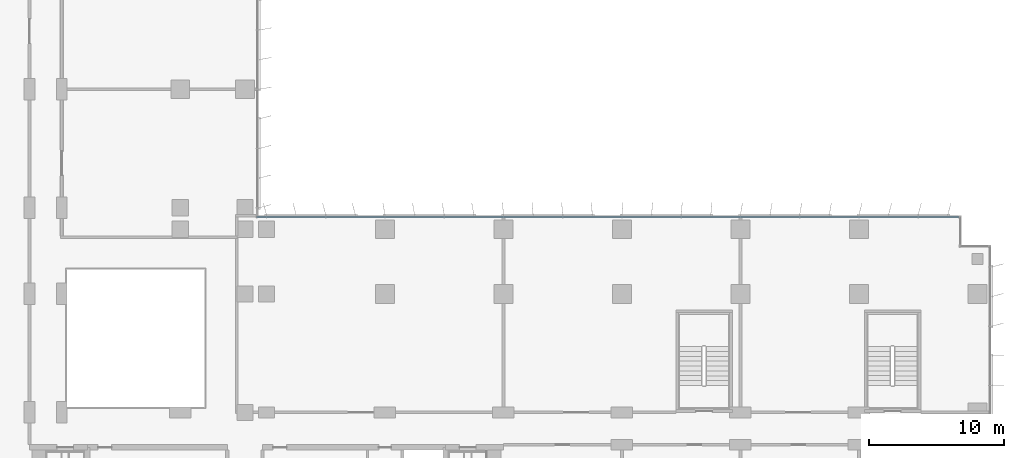
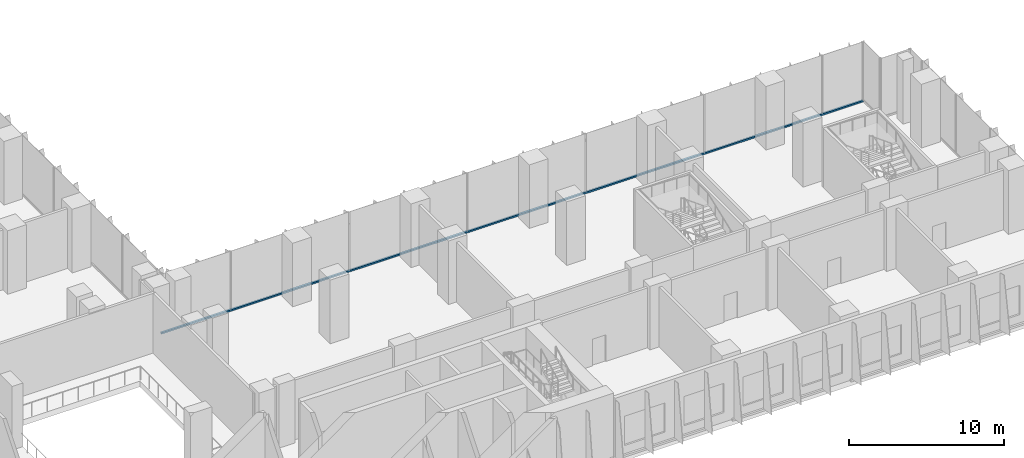
# One storey, part 3 of 23: 1 member, 1 element without a shape of its own.
"""IFC4 building model written with IfcOpenShell, lengths in metres."""

import ifcopenshell
import ifcopenshell.guid

model = None  # the IFC model being written
_history = None  # IfcOwnerHistory: only IFC2X3 demands one
_inside = {}  # id of a spatial element -> (the spatial element, [elements in it])
_under = {}  # id of a project, library or spatial element -> (it, [spatial elements below it])
_declared = {}  # id of a project -> (the project, [libraries it declares])
_typed = {}  # id of a type object -> (the type object, [elements of that type])
_made_of = {}  # id of a material, layer set ... -> (it, [elements and type objects made of it])


def new_model(schema):
    """Start an empty IFC model of exactly this schema.

    Asked for "IFC4X3", IfcOpenShell would pick the latest addendum, in which some entities
    have other attributes; the version numbers below select the first issue.
    IFC2X3 requires an IfcOwnerHistory on every rooted entity: one is made here for all.
    """
    global model, _history
    if schema == "IFC4X3":
        model = ifcopenshell.file(schema_version=(4, 3, 0, 0))
    else:
        model = ifcopenshell.file(schema=schema)
    _inside.clear()
    _under.clear()
    _declared.clear()
    _typed.clear()
    _made_of.clear()
    _history = None
    if model.schema == "IFC2X3":
        org = make("IfcOrganization", Name="unknown")
        user = make(
            "IfcPersonAndOrganization",
            ThePerson=make("IfcPerson", FamilyName="unknown"),
            TheOrganization=org,
        )
        app = make(
            "IfcApplication",
            ApplicationDeveloper=org,
            Version="unknown",
            ApplicationFullName="unknown",
            ApplicationIdentifier="unknown",
        )
        _history = make(
            "IfcOwnerHistory",
            OwningUser=user,
            OwningApplication=app,
            ChangeAction="ADDED",
            CreationDate=0,
        )
    return model


def make(cls, **values):
    """One entity of the class cls with the attributes given. An attribute that is None is left unset."""
    return model.create_entity(
        cls, **{name: value for name, value in values.items() if value is not None}
    )


def rooted(cls, **values):
    """An entity with a GlobalId (a new one), such as an element, a storey or a relation."""
    return make(cls, GlobalId=ifcopenshell.guid.new(), OwnerHistory=_history, **values)


def si_unit(unit_type, name, prefix=None):
    """IfcSIUnit, for example si_unit("LENGTHUNIT", "METRE", prefix="MILLI")."""
    return make("IfcSIUnit", UnitType=unit_type, Prefix=prefix, Name=name)


def assignment(units):
    """IfcUnitAssignment: the units of a project."""
    return None if units is None else make("IfcUnitAssignment", Units=units)


def point(xyz):
    """IfcCartesianPoint."""
    return None if xyz is None else make("IfcCartesianPoint", Coordinates=xyz)


def direction(xyz):
    """IfcDirection."""
    return None if xyz is None else make("IfcDirection", DirectionRatios=xyz)


def frame(location, z_axis=None, x_axis=None):
    """IfcAxis2Placement3D, a coordinate frame: its origin and axes. An axis left out is left unset."""
    return make(
        "IfcAxis2Placement3D",
        Location=point(location),
        Axis=direction(z_axis),
        RefDirection=direction(x_axis),
    )


def frame_2d(location, x_axis=None):
    """IfcAxis2Placement2D, a coordinate frame in the plane: its origin and x axis."""
    return make(
        "IfcAxis2Placement2D", Location=point(location), RefDirection=direction(x_axis)
    )


def origin():
    """The frame at (0, 0, 0) with its axes left unset."""
    return frame((0.0, 0.0, 0.0))


def origin_2d():
    """The frame at (0, 0) in the plane with its x axis left unset."""
    return frame_2d((0.0, 0.0))


def place(relative_to, where):
    """IfcLocalPlacement: puts the frame where relative to a parent placement (None: the world)."""
    return make(
        "IfcLocalPlacement", PlacementRelTo=relative_to, RelativePlacement=where
    )


def context(
    kind, dimensions, precision=None, world=None, true_north=None, identifier=None
):
    """IfcGeometricRepresentationContext, for example the 3D "Model" context."""
    return make(
        "IfcGeometricRepresentationContext",
        ContextIdentifier=identifier,
        ContextType=kind,
        CoordinateSpaceDimension=dimensions,
        Precision=precision,
        WorldCoordinateSystem=world,
        TrueNorth=true_north,
    )


def subcontext(parent, identifier, kind, view, scale=None):
    """IfcGeometricRepresentationSubContext, for example "Body" below "Model"."""
    return make(
        "IfcGeometricRepresentationSubContext",
        ContextIdentifier=identifier,
        ContextType=kind,
        ParentContext=parent,
        TargetScale=scale,
        TargetView=view,
    )


def project(units=None, contexts=None):
    """IfcProject with its units and contexts."""
    return rooted(
        "IfcProject",
        Name="project",
        RepresentationContexts=contexts,
        UnitsInContext=assignment(units),
    )


def spatial(cls, under=None, at=None, **own):
    """A site, building, storey or space (cls), placed at a placement, below another one or the project."""
    s = rooted(cls, ObjectPlacement=at, **own)
    if under is not None:
        _under.setdefault(under.id(), (under, []))[1].append(s)
    return s


def profile(cls, at=None, kind="AREA", **sizes):
    """A parametric profile (cls). Its sizes go by their IFC names, for example OverallWidth=200.0."""
    return make(cls, ProfileType=kind, Position=at, **sizes)


def rectangle(**sizes):
    """IfcRectangleProfileDef."""
    return profile("IfcRectangleProfileDef", **sizes)


def extrude(swept, where, along, depth):
    """IfcExtrudedAreaSolid: the profile swept, set in the frame where, extruded along a direction by depth."""
    return make(
        "IfcExtrudedAreaSolid",
        SweptArea=swept,
        Position=where,
        ExtrudedDirection=direction(along),
        Depth=depth,
    )


def shape(context_of_items, identifier, shape_type, items):
    """IfcShapeRepresentation: the items that make up one representation, for example the "Body"."""
    return make(
        "IfcShapeRepresentation",
        ContextOfItems=context_of_items,
        RepresentationIdentifier=identifier,
        RepresentationType=shape_type,
        Items=items,
    )


def material(Name=None, Category=None):
    """IfcMaterial."""
    return make("IfcMaterial", Name=Name, Category=Category)


def material_profile(
    of_material, cross_section, Name=None, Category=None, Priority=None
):
    """IfcMaterialProfile: a cross section and its material."""
    return make(
        "IfcMaterialProfile",
        Name=Name,
        Material=of_material,
        Profile=cross_section,
        Priority=Priority,
        Category=Category,
    )


def profile_set(profiles, Name=None, composite=None):
    """IfcMaterialProfileSet."""
    return make(
        "IfcMaterialProfileSet",
        Name=Name,
        MaterialProfiles=profiles,
        CompositeProfile=composite,
    )


def made_of(thing, what):
    """Note that an element or type object is made of a material, layer set ...; save() writes the relation."""
    if what is not None:
        _made_of.setdefault(what.id(), (what, []))[1].append(thing)
    return thing


def type_object(cls, material=None, **own):
    """A type object (cls), such as IfcWallType, which elements share."""
    return made_of(rooted(cls, **own), material)


def element(
    cls,
    number,
    at=None,
    inside=None,
    cuts=None,
    type_object=None,
    material=None,
    context=None,
    identifier="Body",
    shape_type=None,
    held_by="IfcProductDefinitionShape",
    body=None,
    shapes=None,
    **own,
):
    """One element of the class cls, such as IfcWall. Its Tag is "e" and its number.

    at: its placement. inside: the storey or other place that contains it. cuts: it is an
    opening in that element (IfcRelVoidsElement). A single representation is given by context,
    identifier, shape_type and body (its items); several are given by shapes. held_by: the class
    of the entity that holds the representations. save() writes the other relations.
    """
    e = rooted(cls, Tag="e%d" % number, ObjectPlacement=at, **own)
    if body is not None:
        shapes = [shape(context, identifier, shape_type, body)]
    if shapes is not None:
        e.Representation = make(held_by, Representations=shapes)
    if inside is not None:
        _inside.setdefault(inside.id(), (inside, []))[1].append(e)
    if cuts is not None:
        rooted(
            "IfcRelVoidsElement", RelatingBuildingElement=cuts, RelatedOpeningElement=e
        )
    if type_object is not None:
        _typed.setdefault(type_object.id(), (type_object, []))[1].append(e)
    return made_of(e, material)


def aggregate(whole, parts):
    """IfcRelAggregates: a whole, such as a stair, and the parts it consists of."""
    return rooted("IfcRelAggregates", RelatingObject=whole, RelatedObjects=parts)


def save(model, path):
    """Write the relations noted so far, then the file.

    IfcRelAggregates (storeys below a building ...), IfcRelContainedInSpatialStructure (elements
    in a storey), IfcRelDefinesByType, IfcRelAssociatesMaterial and IfcRelDeclares: one each for
    every whole, place, type object, material and project.
    """
    for whole, parts in _under.values():
        aggregate(whole, parts)
    for where, things in _inside.values():
        rooted(
            "IfcRelContainedInSpatialStructure",
            RelatedElements=things,
            RelatingStructure=where,
        )
    for kind, things in _typed.values():
        rooted("IfcRelDefinesByType", RelatedObjects=things, RelatingType=kind)
    for what, things in _made_of.values():
        rooted("IfcRelAssociatesMaterial", RelatedObjects=things, RelatingMaterial=what)
    for by, libraries in _declared.values():
        rooted("IfcRelDeclares", RelatingContext=by, RelatedDefinitions=libraries)
    model.write(path)


model = new_model("IFC4")

# Units and contexts
model_context = context("Model", 3, precision=1e-05, world=origin(), true_north=direction((0.0, 1.0)))
body_context = subcontext(model_context, "Body", "Model", "MODEL_VIEW")
ifc_project = project(units=[si_unit("LENGTHUNIT", "METRE"), si_unit("AREAUNIT", "SQUARE_METRE"), si_unit("VOLUMEUNIT", "CUBIC_METRE"), si_unit("PLANEANGLEUNIT", "RADIAN"), si_unit("MASSUNIT", "GRAM", prefix="KILO")], contexts=[model_context])

# Site, building, storey
site_placement = place(None, origin())
site = spatial("IfcSite", under=ifc_project, at=site_placement, CompositionType="ELEMENT")
building_placement = place(site_placement, origin())
building = spatial("IfcBuilding", under=site, at=building_placement, Name="Kemantara Hotel Tower", CompositionType="ELEMENT")
storey_placement = place(building_placement, frame((0.0, 0.0, 71.0)))
storey = spatial("IfcBuildingStorey", under=building, at=storey_placement, Name="L16", CompositionType="ELEMENT", Elevation=71.0)

# Curtain wall, member
ifc_material_1 = material(Name="Low-E tinted double insulated glass 36 mm", Category="glass")
curtain_wall_type = type_object("IfcCurtainWallType", Name="TOWER CURTAIN WALL, FRONT FACES", PredefinedType="USERDEFINED", material=ifc_material_1)
curtain_wall_placement = place(storey_placement, origin())
curtain_wall = element("IfcCurtainWall", 1, at=curtain_wall_placement, inside=storey, type_object=curtain_wall_type, Name="CW4 L16 T1-R07-1", ObjectType="TOWER CURTAIN WALL, FRONT FACES", PredefinedType="USERDEFINED")
ifc_material_2 = material(Name="Aluminium 6063-T6 bronze anodised", Category="aluminium")
ifc_material_profile = material_profile(ifc_material_2, rectangle(XDim=0.14990234375, YDim=0.1201171875, at=origin_2d()), Name="TOWER CURTAIN WALL, FRONT FACES TRANSOM")
ifc_profile_set = profile_set([ifc_material_profile], Name="Aluminium 6063-T6 bronze anodised")
member_type = type_object("IfcMemberType", Name="TOWER CURTAIN WALL, FRONT FACES TRANSOM", PredefinedType="USERDEFINED", material=ifc_profile_set)
member_placement = place(storey_placement, frame((78.85009765625, 26.72509765625, 0.06005859375), z_axis=(-1.0, 0.0, 0.0), x_axis=(0.0, -1.0, 0.0)))
member = element("IfcMember", 2, at=member_placement, type_object=member_type, Name="CW4 sill transom T1-R07-1", ObjectType="TRANSOM", PredefinedType="USERDEFINED", context=body_context, shape_type="SweptSolid", body=[
    extrude(rectangle(XDim=0.14990234375, YDim=0.1201171875, at=origin_2d()), origin(), (0.0, 0.0, 1.0), 52.2001953125),
])
aggregate(curtain_wall, [member])

save(model, "model.ifc")
